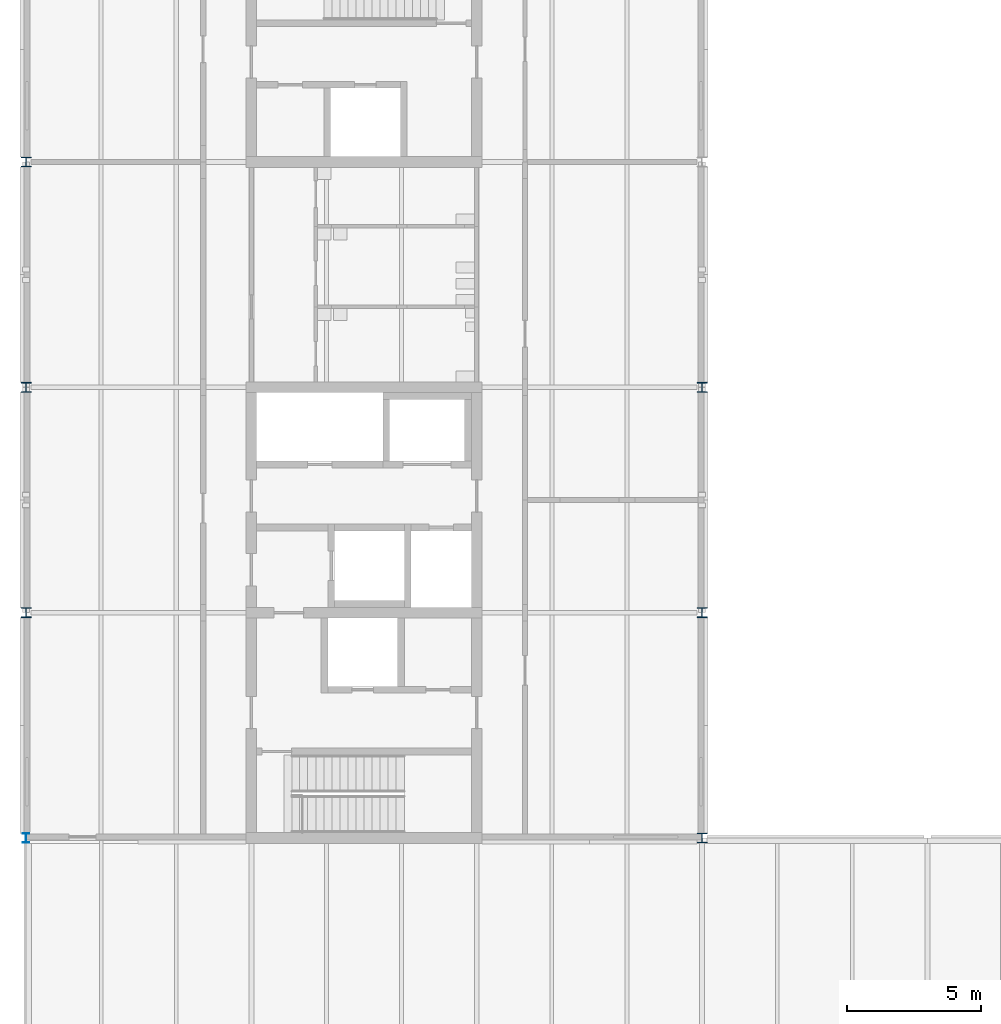
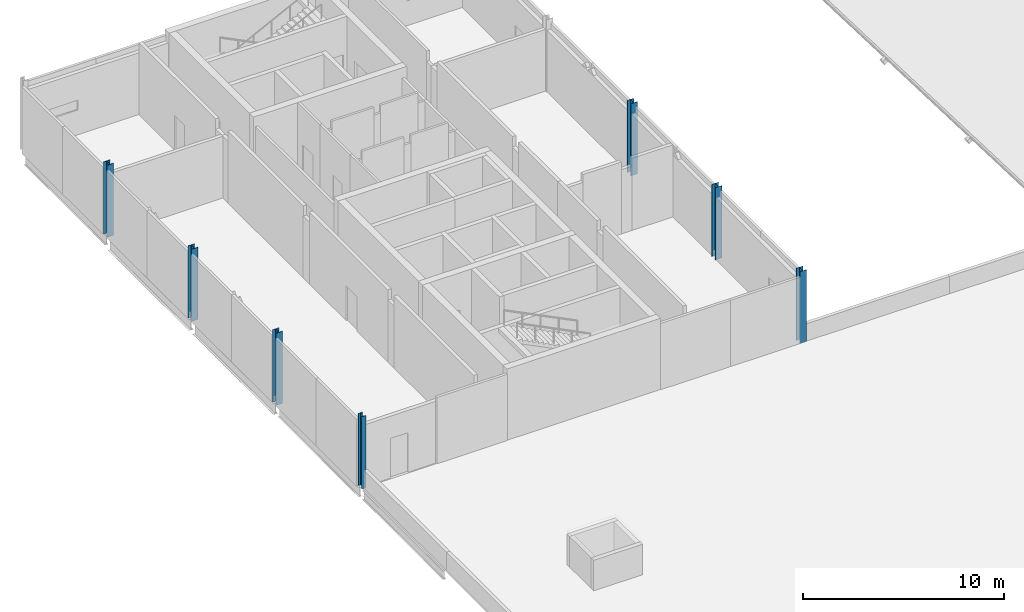
# One storey, part 1 of 76: 7 columns.
"""IFC4 building model written with IfcOpenShell, lengths in metres."""

from ifc_helpers import new_model, si_unit, direction, frame, origin, origin_2d, place, context, subcontext, project, spatial, i_section, extrude, material, material_profile, profile_set, type_object, element, save


model = new_model("IFC4")

# Units and contexts
model_context = context("Model", 3, precision=1e-05, world=origin(), true_north=direction((0.0, 1.0)))
body_context = subcontext(model_context, "Body", "Model", "MODEL_VIEW")
ifc_project = project(units=[si_unit("LENGTHUNIT", "METRE"), si_unit("AREAUNIT", "SQUARE_METRE"), si_unit("VOLUMEUNIT", "CUBIC_METRE"), si_unit("PLANEANGLEUNIT", "RADIAN"), si_unit("MASSUNIT", "GRAM", prefix="KILO")], contexts=[model_context])

# Site, building, storey
site_placement = place(None, origin())
site = spatial("IfcSite", under=ifc_project, at=site_placement, CompositionType="ELEMENT")
building_placement = place(site_placement, origin())
building = spatial("IfcBuilding", under=site, at=building_placement, Name="Hlaing Beacon Police Headquarters", CompositionType="ELEMENT")
storey_placement = place(building_placement, frame((0.0, 0.0, 18.89990234375)))
storey = spatial("IfcBuildingStorey", under=building, at=storey_placement, Name="L04", CompositionType="ELEMENT", Elevation=18.89990234375)

# Columns
ifc_material_1 = material(Name="Steel ASTM A992 Grade 50", Category="steel")
ifc_material_profile_1 = material_profile(ifc_material_1, i_section(OverallWidth=0.25390625, OverallDepth=0.35302734375, WebThickness=0.009521484375, FlangeThickness=0.016357421875, FilletRadius=0.01513671875, at=origin_2d()), Name="W14x61")
ifc_profile_set_1 = profile_set([ifc_material_profile_1], Name="Steel ASTM A992 Grade 50")
column_type_1 = type_object("IfcColumnType", Name="Steel column W14x61", PredefinedType="COLUMN", material=ifc_profile_set_1)
column_placement = place(storey_placement, frame((8.39990234375, 33.60009765625, 0.0), z_axis=(0.0, 0.0, 1.0), x_axis=(1.0, 0.0, 0.0)))
element("IfcColumn", 1, at=column_placement, inside=storey, type_object=column_type_1, Name="STR-COL-L04-B5", PredefinedType="COLUMN", context=body_context, shape_type="SweptSolid", body=[
    extrude(i_section(OverallWidth=0.25390625, OverallDepth=0.35302734375, WebThickness=0.009521484375, FlangeThickness=0.016357421875, FilletRadius=0.01513671875, at=origin_2d()), origin(), (0.0, 0.0, 1.0), 4.3701171875),
])
ifc_material_2 = material(Name="Steel ASTM A992 Grade 50", Category="steel")
ifc_material_profile_2 = material_profile(ifc_material_2, i_section(OverallWidth=0.370849609375, OverallDepth=0.360595703125, WebThickness=0.01220703125, FlangeThickness=0.019775390625, FilletRadius=0.01513671875, at=origin_2d()), Name="W14x99")
ifc_profile_set_2 = profile_set([ifc_material_profile_2], Name="Steel ASTM A992 Grade 50")
column_type_2 = type_object("IfcColumnType", Name="Steel column W14x99", PredefinedType="COLUMN", material=ifc_profile_set_2)
for number, where, z_axis, x_axis, name in (
    (2, (8.39990234375, 42.0, 0.0), (0.0, 0.0, 1.0), (1.0, 0.0, 0.0), "STR-COL-L04-B6"),
    (3, (8.39990234375, 50.39990234375, 0.0), (0.0, 0.0, 1.0), (1.0, 0.0, 0.0), "STR-COL-L04-B7"),
    (4, (8.39990234375, 58.800048828125, 0.0), (0.0, 0.0, 1.0), (1.0, 0.0, 0.0), "STR-COL-L04-B8"),
    (5, (33.60009765625, 33.60009765625, 0.0), (0.0, 0.0, 1.0), (1.0, 0.0, 0.0), "STR-COL-L04-E5"),
    (6, (33.60009765625, 42.0, 0.0), (0.0, 0.0, 1.0), (1.0, 0.0, 0.0), "STR-COL-L04-E6"),
    (7, (33.60009765625, 50.39990234375, 0.0), (0.0, 0.0, 1.0), (1.0, 0.0, 0.0), "STR-COL-L04-E7"),
):
    element("IfcColumn", number, at=place(storey_placement, frame(where, z_axis=z_axis, x_axis=x_axis)), inside=storey, type_object=column_type_2, Name=name, PredefinedType="COLUMN", context=body_context, shape_type="SweptSolid", body=[
        extrude(i_section(OverallWidth=0.370849609375, OverallDepth=0.360595703125, WebThickness=0.01220703125, FlangeThickness=0.019775390625, FilletRadius=0.01513671875, at=origin_2d()), origin(), (0.0, 0.0, 1.0), 4.3701171875),
    ])

save(model, "model.ifc")
